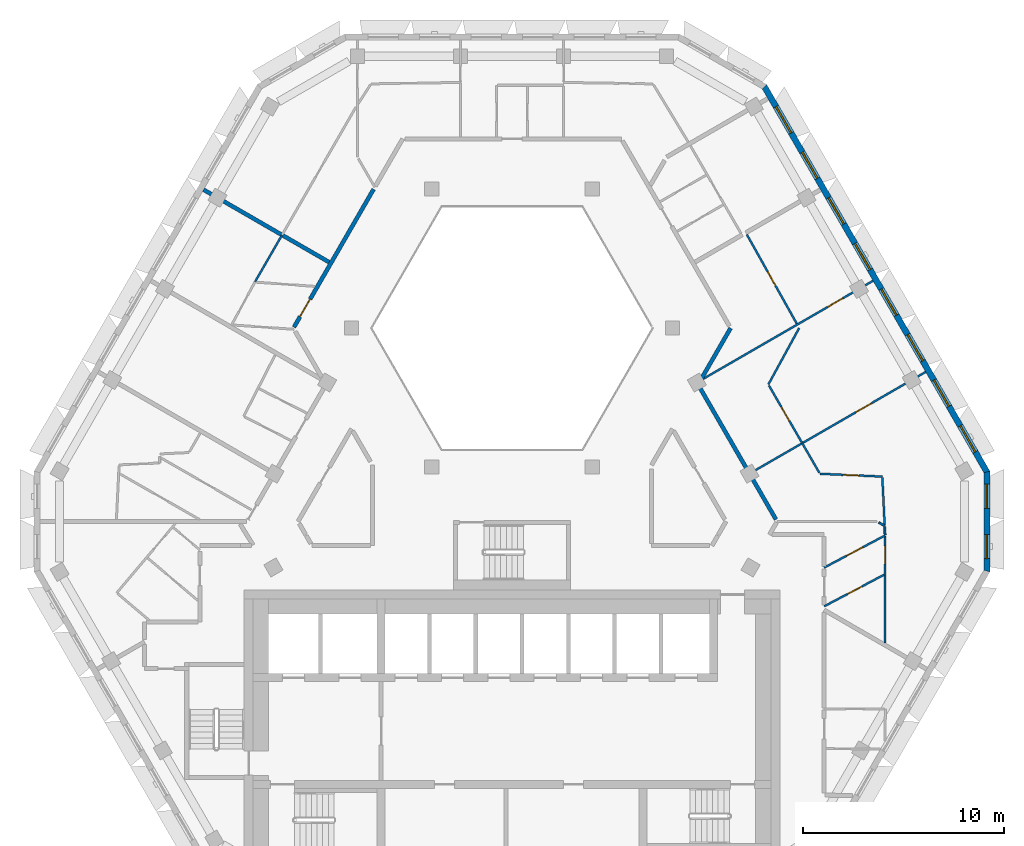
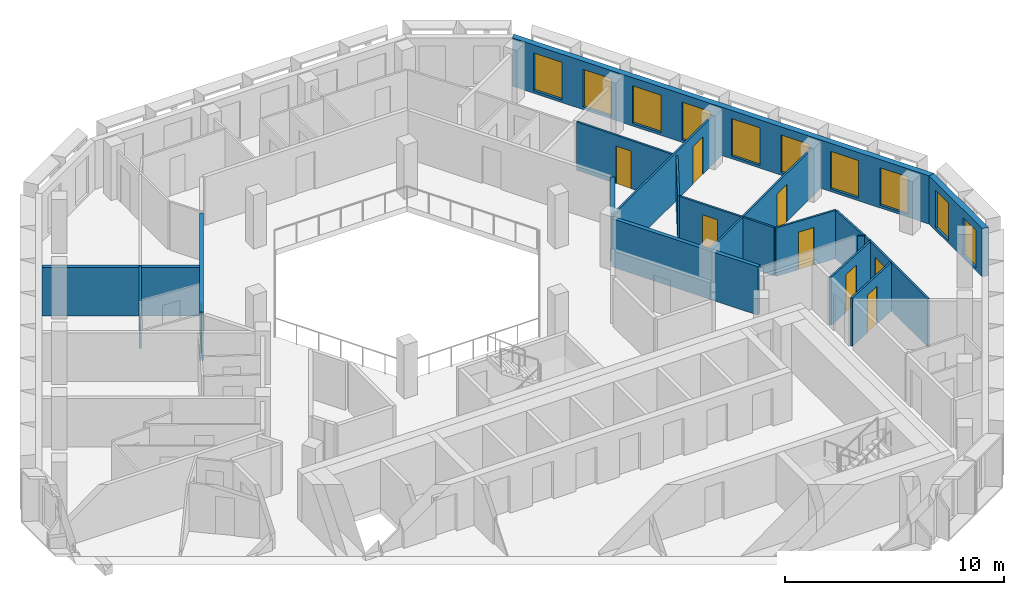
# One storey, part 7 of 16: 20 walls, 10 windows, 9 doors, 19 openings.
"""IFC4 building model written with IfcOpenShell, lengths in metres."""

from ifc_helpers import new_model, si_unit, direction, frame, frame_2d, origin, place, context, subcontext, project, spatial, polyline, rectangle, outline, extrude, material, layer, layer_set, type_object, element, fill, save


model = new_model("IFC4")

# Units and contexts
model_context = context("Model", 3, precision=1e-05, world=origin(), true_north=direction((0.0, 1.0)))
body_context = subcontext(model_context, "Body", "Model", "MODEL_VIEW")
ifc_project = project(units=[si_unit("LENGTHUNIT", "METRE"), si_unit("AREAUNIT", "SQUARE_METRE"), si_unit("VOLUMEUNIT", "CUBIC_METRE"), si_unit("PLANEANGLEUNIT", "RADIAN"), si_unit("MASSUNIT", "GRAM", prefix="KILO")], contexts=[model_context])

# Site, building, storey
site_placement = place(None, origin())
site = spatial("IfcSite", under=ifc_project, at=site_placement, CompositionType="ELEMENT")
building_placement = place(site_placement, origin())
building = spatial("IfcBuilding", under=site, at=building_placement, Name="Beryl Residences", CompositionType="ELEMENT")
storey_placement = place(building_placement, frame((0.0, 0.0, 214.800048828125)))
storey = spatial("IfcBuildingStorey", under=building, at=storey_placement, Name="L66", CompositionType="ELEMENT", Elevation=214.800048828125)

# Wall, openings, windows
ifc_material_1 = material(Name="Composite metal panel with mineral wool insulation")
ifc_layer_1 = layer(ifc_material_1, 0.300048828125)
ifc_layer_set_1 = layer_set([ifc_layer_1], Name="ES1 pale metal composite panel wall 300 mm")
wall_type_1 = type_object("IfcWallType", Name="ES1 pale metal composite panel wall 300 mm", PredefinedType="SOLIDWALL", material=ifc_layer_set_1)
wall_1_placement = place(storey_placement, frame((23.5791015625, -4.10009765625, 0.0), z_axis=(0.0, 0.0, 1.0), x_axis=(0.0, 1.0, 0.0)))
wall_1 = element("IfcWall", 1, at=wall_1_placement, inside=storey, type_object=wall_type_1, Name="ES1 external wall L66 SE-NE", PredefinedType="SOLIDWALL", context=body_context, shape_type="SweptSolid", body=[
    extrude(outline(polyline([(0.0, -0.14990234375), (5.0, -0.14990234375), (4.919677734375, 0.14990234375), (0.080322265625, 0.14990234375), (0.0, -0.14990234375)])), origin(), (0.0, 0.0, 1.0), 2.699951171875),
])
opening_1_placement = place(wall_1_placement, frame((0.64990234375, 0.0, 0.14990234375)))
opening_1 = element("IfcOpeningElement", 2, at=opening_1_placement, cuts=wall_1, Name="Opening W2", PredefinedType="OPENING", context=body_context, shape_type="SweptSolid", body=[
    extrude(rectangle(XDim=1.199951171875, YDim=2.10009765625, at=frame_2d((0.60009765625, 1.050048828125))), frame((0.0, 0.159912109375, 0.0), z_axis=(0.0, -1.0, 0.0), x_axis=(1.0, 0.0, 0.0)), (0.0, 0.0, 1.0), 0.320068359375),
])
opening_2_placement = place(wall_1_placement, frame((3.14990234375, 0.0, 0.14990234375)))
opening_2 = element("IfcOpeningElement", 3, at=opening_2_placement, cuts=wall_1, Name="Opening W2", PredefinedType="OPENING", context=body_context, shape_type="SweptSolid", body=[
    extrude(rectangle(XDim=1.199951171875, YDim=2.10009765625, at=frame_2d((0.60009765625, 1.050048828125))), frame((0.0, 0.159912109375, 0.0), z_axis=(0.0, -1.0, 0.0), x_axis=(1.0, 0.0, 0.0)), (0.0, 0.0, 1.0), 0.320068359375),
])
ifc_material_2 = material(Name="Aluminium and clear glass", Category="aluminium")
window_type_1 = type_object("IfcWindowType", Name="W2 chamfer window 1200 x 2100 mm", PartitioningType="SINGLE_PANEL", PredefinedType="WINDOW", material=ifc_material_2)
window_1_placement = place(opening_1_placement, origin())
window_1 = element("IfcWindow", 4, at=window_1_placement, inside=storey, type_object=window_type_1, Name="W2 window L66 SE-NE 1", OverallHeight=2.10009765625, OverallWidth=1.199951171875, PartitioningType="SINGLE_PANEL", PredefinedType="WINDOW", context=body_context, shape_type="SweptSolid", body=[
    extrude(rectangle(XDim=1.199951171875, YDim=2.10009765625, at=frame_2d((0.60009765625, 1.050048828125))), frame((0.0, 0.030029296875, 0.0), z_axis=(0.0, -1.0, 0.0), x_axis=(1.0, 0.0, 0.0)), (0.0, 0.0, 1.0), 0.06005859375),
])
fill(opening_1, window_1)
window_2_placement = place(opening_2_placement, origin())
window_2 = element("IfcWindow", 5, at=window_2_placement, inside=storey, type_object=window_type_1, Name="W2 window L66 SE-NE 2", OverallHeight=2.10009765625, OverallWidth=1.199951171875, PartitioningType="SINGLE_PANEL", PredefinedType="WINDOW", context=body_context, shape_type="SweptSolid", body=[
    extrude(rectangle(XDim=1.199951171875, YDim=2.10009765625, at=frame_2d((0.60009765625, 1.050048828125))), frame((0.0, 0.030029296875, 0.0), z_axis=(0.0, -1.0, 0.0), x_axis=(1.0, 0.0, 0.0)), (0.0, 0.0, 1.0), 0.06005859375),
])
fill(opening_2, window_2)

wall_2_placement = place(storey_placement, frame((23.59912109375, 0.824951171875, 0.0), z_axis=(0.0, 0.0, 1.0), x_axis=(-0.500003656944, 0.866023292436, 0.0)))
wall_2 = element("IfcWall", 6, at=wall_2_placement, inside=storey, type_object=wall_type_1, Name="ES1 external wall L66 NE", PredefinedType="SOLIDWALL", context=body_context, shape_type="SweptSolid", body=[
    extrude(outline(polyline([(0.0, -0.14990234375), (22.170166015625, -0.14990234375), (22.08984375, 0.14990234375), (0.080322265625, 0.14990234375), (0.0, -0.14990234375)])), origin(), (0.0, 0.0, 1.0), 2.699951171875),
])
opening_3_placement = place(wall_2_placement, frame((1.19091796875, 0.0, 0.14990234375)))
opening_3 = element("IfcOpeningElement", 7, at=opening_3_placement, cuts=wall_2, Name="Opening W1", PredefinedType="OPENING", context=body_context, shape_type="SweptSolid", body=[
    extrude(rectangle(XDim=1.5, YDim=2.10009765625, at=frame_2d((0.75, 1.050048828125))), frame((0.0, 0.159912109375, 0.0), z_axis=(0.0, -1.0, 0.0), x_axis=(1.0, 0.0, 0.0)), (0.0, 0.0, 1.0), 0.320068359375),
])
opening_4_placement = place(wall_2_placement, frame((3.803955078125, 0.0, 0.14990234375)))
opening_4 = element("IfcOpeningElement", 8, at=opening_4_placement, cuts=wall_2, Name="Opening W1", PredefinedType="OPENING", context=body_context, shape_type="SweptSolid", body=[
    extrude(rectangle(XDim=1.5, YDim=2.10009765625, at=frame_2d((0.75, 1.050048828125))), frame((0.0, 0.159912109375, 0.0), z_axis=(0.0, -1.0, 0.0), x_axis=(1.0, 0.0, 0.0)), (0.0, 0.0, 1.0), 0.320068359375),
])
opening_5_placement = place(wall_2_placement, frame((6.4169921875, 0.0, 0.14990234375)))
opening_5 = element("IfcOpeningElement", 9, at=opening_5_placement, cuts=wall_2, Name="Opening W1", PredefinedType="OPENING", context=body_context, shape_type="SweptSolid", body=[
    extrude(rectangle(XDim=1.5, YDim=2.10009765625, at=frame_2d((0.75, 1.050048828125))), frame((0.0, 0.159912109375, 0.0), z_axis=(0.0, -1.0, 0.0), x_axis=(1.0, 0.0, 0.0)), (0.0, 0.0, 1.0), 0.320068359375),
])
opening_6_placement = place(wall_2_placement, frame((9.029052734375, 0.0, 0.14990234375)))
opening_6 = element("IfcOpeningElement", 10, at=opening_6_placement, cuts=wall_2, Name="Opening W1", PredefinedType="OPENING", context=body_context, shape_type="SweptSolid", body=[
    extrude(rectangle(XDim=1.5, YDim=2.10009765625, at=frame_2d((0.75, 1.050048828125))), frame((0.0, 0.159912109375, 0.0), z_axis=(0.0, -1.0, 0.0), x_axis=(1.0, 0.0, 0.0)), (0.0, 0.0, 1.0), 0.320068359375),
])
opening_7_placement = place(wall_2_placement, frame((11.64111328125, 0.0, 0.14990234375)))
opening_7 = element("IfcOpeningElement", 11, at=opening_7_placement, cuts=wall_2, Name="Opening W1", PredefinedType="OPENING", context=body_context, shape_type="SweptSolid", body=[
    extrude(rectangle(XDim=1.5, YDim=2.10009765625, at=frame_2d((0.75, 1.050048828125))), frame((0.0, 0.159912109375, 0.0), z_axis=(0.0, -1.0, 0.0), x_axis=(1.0, 0.0, 0.0)), (0.0, 0.0, 1.0), 0.320068359375),
])
opening_8_placement = place(wall_2_placement, frame((14.25390625, 0.0, 0.14990234375)))
opening_8 = element("IfcOpeningElement", 12, at=opening_8_placement, cuts=wall_2, Name="Opening W1", PredefinedType="OPENING", context=body_context, shape_type="SweptSolid", body=[
    extrude(rectangle(XDim=1.5, YDim=2.10009765625, at=frame_2d((0.75, 1.050048828125))), frame((0.0, 0.159912109375, 0.0), z_axis=(0.0, -1.0, 0.0), x_axis=(1.0, 0.0, 0.0)), (0.0, 0.0, 1.0), 0.320068359375),
])
opening_9_placement = place(wall_2_placement, frame((16.865966796875, 0.0, 0.14990234375)))
opening_9 = element("IfcOpeningElement", 13, at=opening_9_placement, cuts=wall_2, Name="Opening W1", PredefinedType="OPENING", context=body_context, shape_type="SweptSolid", body=[
    extrude(rectangle(XDim=1.5, YDim=2.10009765625, at=frame_2d((0.75, 1.050048828125))), frame((0.0, 0.159912109375, 0.0), z_axis=(0.0, -1.0, 0.0), x_axis=(1.0, 0.0, 0.0)), (0.0, 0.0, 1.0), 0.320068359375),
])
opening_10_placement = place(wall_2_placement, frame((19.47900390625, 0.0, 0.14990234375)))
opening_10 = element("IfcOpeningElement", 14, at=opening_10_placement, cuts=wall_2, Name="Opening W1", PredefinedType="OPENING", context=body_context, shape_type="SweptSolid", body=[
    extrude(rectangle(XDim=1.5, YDim=2.10009765625, at=frame_2d((0.75, 1.050048828125))), frame((0.0, 0.159912109375, 0.0), z_axis=(0.0, -1.0, 0.0), x_axis=(1.0, 0.0, 0.0)), (0.0, 0.0, 1.0), 0.320068359375),
])
ifc_material_3 = material(Name="Aluminium and clear glass", Category="aluminium")
window_type_2 = type_object("IfcWindowType", Name="W1 cell window 1500 x 2100 mm", PartitioningType="SINGLE_PANEL", PredefinedType="WINDOW", material=ifc_material_3)
window_3_placement = place(opening_3_placement, origin())
window_3 = element("IfcWindow", 15, at=window_3_placement, inside=storey, type_object=window_type_2, Name="W1 window L66 NE 1", OverallHeight=2.10009765625, OverallWidth=1.5, PartitioningType="SINGLE_PANEL", PredefinedType="WINDOW", context=body_context, shape_type="SweptSolid", body=[
    extrude(rectangle(XDim=1.5, YDim=2.10009765625, at=frame_2d((0.75, 1.050048828125))), frame((0.0, 0.030029296875, 0.0), z_axis=(0.0, -1.0, 0.0), x_axis=(1.0, 0.0, 0.0)), (0.0, 0.0, 1.0), 0.06005859375),
])
fill(opening_3, window_3)
window_4_placement = place(opening_4_placement, origin())
window_4 = element("IfcWindow", 16, at=window_4_placement, inside=storey, type_object=window_type_2, Name="W1 window L66 NE 2", OverallHeight=2.10009765625, OverallWidth=1.5, PartitioningType="SINGLE_PANEL", PredefinedType="WINDOW", context=body_context, shape_type="SweptSolid", body=[
    extrude(rectangle(XDim=1.5, YDim=2.10009765625, at=frame_2d((0.75, 1.050048828125))), frame((0.0, 0.030029296875, 0.0), z_axis=(0.0, -1.0, 0.0), x_axis=(1.0, 0.0, 0.0)), (0.0, 0.0, 1.0), 0.06005859375),
])
fill(opening_4, window_4)
window_5_placement = place(opening_5_placement, origin())
window_5 = element("IfcWindow", 17, at=window_5_placement, inside=storey, type_object=window_type_2, Name="W1 window L66 NE 3", OverallHeight=2.10009765625, OverallWidth=1.5, PartitioningType="SINGLE_PANEL", PredefinedType="WINDOW", context=body_context, shape_type="SweptSolid", body=[
    extrude(rectangle(XDim=1.5, YDim=2.10009765625, at=frame_2d((0.75, 1.050048828125))), frame((0.0, 0.030029296875, 0.0), z_axis=(0.0, -1.0, 0.0), x_axis=(1.0, 0.0, 0.0)), (0.0, 0.0, 1.0), 0.06005859375),
])
fill(opening_5, window_5)
window_6_placement = place(opening_6_placement, origin())
window_6 = element("IfcWindow", 18, at=window_6_placement, inside=storey, type_object=window_type_2, Name="W1 window L66 NE 4", OverallHeight=2.10009765625, OverallWidth=1.5, PartitioningType="SINGLE_PANEL", PredefinedType="WINDOW", context=body_context, shape_type="SweptSolid", body=[
    extrude(rectangle(XDim=1.5, YDim=2.10009765625, at=frame_2d((0.75, 1.050048828125))), frame((0.0, 0.030029296875, 0.0), z_axis=(0.0, -1.0, 0.0), x_axis=(1.0, 0.0, 0.0)), (0.0, 0.0, 1.0), 0.06005859375),
])
fill(opening_6, window_6)
window_7_placement = place(opening_7_placement, origin())
window_7 = element("IfcWindow", 19, at=window_7_placement, inside=storey, type_object=window_type_2, Name="W1 window L66 NE 5", OverallHeight=2.10009765625, OverallWidth=1.5, PartitioningType="SINGLE_PANEL", PredefinedType="WINDOW", context=body_context, shape_type="SweptSolid", body=[
    extrude(rectangle(XDim=1.5, YDim=2.10009765625, at=frame_2d((0.75, 1.050048828125))), frame((0.0, 0.030029296875, 0.0), z_axis=(0.0, -1.0, 0.0), x_axis=(1.0, 0.0, 0.0)), (0.0, 0.0, 1.0), 0.06005859375),
])
fill(opening_7, window_7)
window_8_placement = place(opening_8_placement, origin())
window_8 = element("IfcWindow", 20, at=window_8_placement, inside=storey, type_object=window_type_2, Name="W1 window L66 NE 6", OverallHeight=2.10009765625, OverallWidth=1.5, PartitioningType="SINGLE_PANEL", PredefinedType="WINDOW", context=body_context, shape_type="SweptSolid", body=[
    extrude(rectangle(XDim=1.5, YDim=2.10009765625, at=frame_2d((0.75, 1.050048828125))), frame((0.0, 0.030029296875, 0.0), z_axis=(0.0, -1.0, 0.0), x_axis=(1.0, 0.0, 0.0)), (0.0, 0.0, 1.0), 0.06005859375),
])
fill(opening_8, window_8)
window_9_placement = place(opening_9_placement, origin())
window_9 = element("IfcWindow", 21, at=window_9_placement, inside=storey, type_object=window_type_2, Name="W1 window L66 NE 7", OverallHeight=2.10009765625, OverallWidth=1.5, PartitioningType="SINGLE_PANEL", PredefinedType="WINDOW", context=body_context, shape_type="SweptSolid", body=[
    extrude(rectangle(XDim=1.5, YDim=2.10009765625, at=frame_2d((0.75, 1.050048828125))), frame((0.0, 0.030029296875, 0.0), z_axis=(0.0, -1.0, 0.0), x_axis=(1.0, 0.0, 0.0)), (0.0, 0.0, 1.0), 0.06005859375),
])
fill(opening_9, window_9)
window_10_placement = place(opening_10_placement, origin())
window_10 = element("IfcWindow", 22, at=window_10_placement, inside=storey, type_object=window_type_2, Name="W1 window L66 NE 8", OverallHeight=2.10009765625, OverallWidth=1.5, PartitioningType="SINGLE_PANEL", PredefinedType="WINDOW", context=body_context, shape_type="SweptSolid", body=[
    extrude(rectangle(XDim=1.5, YDim=2.10009765625, at=frame_2d((0.75, 1.050048828125))), frame((0.0, 0.030029296875, 0.0), z_axis=(0.0, -1.0, 0.0), x_axis=(1.0, 0.0, 0.0)), (0.0, 0.0, 1.0), 0.06005859375),
])
fill(opening_10, window_10)

# Wall, opening, door
ifc_material_4 = material(Name="Gypsum board partition on steel studs", Category="steel")
ifc_layer_2 = layer(ifc_material_4, 0.10009765625)
ifc_layer_set_2 = layer_set([ifc_layer_2], Name="PT1 partition 100 mm gypsum board on steel studs")
wall_type_2 = type_object("IfcWallType", Name="PT1 partition 100 mm gypsum board on steel studs", PredefinedType="PARTITIONING", material=ifc_layer_set_2)
wall_3_placement = place(storey_placement, frame((12.759033203125, 5.14990234375, 0.0), z_axis=(0.0, 0.0, 1.0), x_axis=(0.499905801698, -0.866079782369, 0.0)))
wall_3 = element("IfcWall", 23, at=wall_3_placement, inside=storey, type_object=wall_type_2, Name="Wall PT1 L66 004", PredefinedType="PARTITIONING", context=body_context, shape_type="SweptSolid", body=[
    extrude(rectangle(XDim=3.304443359375, YDim=0.10009765625, at=frame_2d((1.65234375, 0.0))), origin(), (0.0, 0.0, 1.0), 2.699951171875),
])
opening_11_placement = place(wall_3_placement, frame((1.222900390625, 0.0, 0.0)))
opening_11 = element("IfcOpeningElement", 24, at=opening_11_placement, cuts=wall_3, Name="Opening D1836", PredefinedType="OPENING", context=body_context, shape_type="SweptSolid", body=[
    extrude(rectangle(XDim=0.800048828125, YDim=2.10009765625, at=frame_2d((0.39990234375, 1.050048828125))), frame((0.0, 0.06005859375, 0.0), z_axis=(0.0, -1.0, 0.0), x_axis=(1.0, 0.0, 0.0)), (0.0, 0.0, 1.0), 0.1201171875),
])
ifc_material_5 = material(Name="Timber door leaf", Category="wood")
door_type_1 = type_object("IfcDoorType", Name="D3 bathroom door 800 x 2100 mm", OperationType="SINGLE_SWING_LEFT", PredefinedType="DOOR", material=ifc_material_5)
door_1_placement = place(opening_11_placement, origin())
door_1 = element("IfcDoor", 25, at=door_1_placement, inside=storey, type_object=door_type_1, Name="Door D1836 L66 001", OperationType="SINGLE_SWING_RIGHT", OverallHeight=2.10009765625, OverallWidth=0.800048828125, PredefinedType="DOOR", context=body_context, shape_type="SweptSolid", body=[
    extrude(rectangle(XDim=0.800048828125, YDim=2.10009765625, at=frame_2d((0.39990234375, 1.050048828125))), frame((0.0, 0.02490234375, 0.0), z_axis=(0.0, -1.0, 0.0), x_axis=(1.0, 0.0, 0.0)), (0.0, 0.0, 1.0), 0.050048828125),
])
fill(opening_11, door_1)

wall_4_placement = place(storey_placement, frame((11.659912109375, 12.64990234375, 0.0), z_axis=(0.0, 0.0, 1.0), x_axis=(0.488650242737, -0.872479764965, 0.0)))
wall_4 = element("IfcWall", 26, at=wall_4_placement, inside=storey, type_object=wall_type_2, Name="Wall PT1 L66 007", PredefinedType="PARTITIONING", context=body_context, shape_type="SweptSolid", body=[
    extrude(rectangle(XDim=5.0751953125, YDim=0.10009765625, at=frame_2d((2.53759765625, 0.0))), origin(), (0.0, 0.0, 1.0), 2.699951171875),
])
opening_12_placement = place(wall_4_placement, frame((2.113037109375, 0.0, 0.0)))
opening_12 = element("IfcOpeningElement", 27, at=opening_12_placement, cuts=wall_4, Name="Opening D1837", PredefinedType="OPENING", context=body_context, shape_type="SweptSolid", body=[
    extrude(rectangle(XDim=0.800048828125, YDim=2.10009765625, at=frame_2d((0.39990234375, 1.050048828125))), frame((0.0, 0.06005859375, 0.0), z_axis=(0.0, -1.0, 0.0), x_axis=(1.0, 0.0, 0.0)), (0.0, 0.0, 1.0), 0.1201171875),
])
door_2_placement = place(opening_12_placement, origin())
door_2 = element("IfcDoor", 28, at=door_2_placement, inside=storey, type_object=door_type_1, Name="Door D1837 L66 001", OperationType="SINGLE_SWING_LEFT", OverallHeight=2.10009765625, OverallWidth=0.800048828125, PredefinedType="DOOR", context=body_context, shape_type="SweptSolid", body=[
    extrude(rectangle(XDim=0.800048828125, YDim=2.10009765625, at=frame_2d((0.39990234375, 1.050048828125))), frame((0.0, 0.02490234375, 0.0), z_axis=(0.0, -1.0, 0.0), x_axis=(1.0, 0.0, 0.0)), (0.0, 0.0, 1.0), 0.050048828125),
])
fill(opening_12, door_2)

# Walls
wall_5_placement = place(storey_placement, frame((18.387939453125, 0.5791015625, 0.0), z_axis=(0.0, 0.0, 1.0), x_axis=(0.049097293833, -0.998794000652, 0.0)))
element("IfcWall", 29, at=wall_5_placement, inside=storey, type_object=wall_type_2, Name="Wall PT1 L66 008", PredefinedType="PARTITIONING", context=body_context, shape_type="SweptSolid", body=[
    extrude(rectangle(XDim=2.362060546875, YDim=0.10009765625, at=frame_2d((1.18115234375, 0.0))), origin(), (0.0, 0.0, 1.0), 2.699951171875),
])
wall_6_placement = place(storey_placement, frame((18.507080078125, -1.85400390625, 0.0), z_axis=(0.0, 0.0, 1.0), x_axis=(0.036480787329, -0.999334354536, 0.0)))
element("IfcWall", 30, at=wall_6_placement, inside=storey, type_object=wall_type_2, Name="Wall PT1 L66 009", PredefinedType="PARTITIONING", context=body_context, shape_type="SweptSolid", body=[
    extrude(rectangle(XDim=0.408203125, YDim=0.10009765625, at=frame_2d((0.2041015625, 0.0))), origin(), (0.0, 0.0, 1.0), 2.699951171875),
])

# Wall, opening, door
wall_7_placement = place(storey_placement, frame((15.2880859375, 0.76806640625, 0.0), z_axis=(0.0, 0.0, 1.0), x_axis=(0.999006028269, -0.044575278833, 0.0)))
wall_7 = element("IfcWall", 31, at=wall_7_placement, inside=storey, type_object=wall_type_2, Name="Wall PT1 L66 014", PredefinedType="PARTITIONING", context=body_context, shape_type="SweptSolid", body=[
    extrude(rectangle(XDim=3.10009765625, YDim=0.10009765625, at=frame_2d((1.550048828125, 0.0))), origin(), (0.0, 0.0, 1.0), 2.699951171875),
])
opening_13_placement = place(wall_7_placement, frame((1.14990234375, 0.0, 0.0)))
opening_13 = element("IfcOpeningElement", 32, at=opening_13_placement, cuts=wall_7, Name="Opening D1834", PredefinedType="OPENING", context=body_context, shape_type="SweptSolid", body=[
    extrude(rectangle(XDim=0.800048828125, YDim=2.10009765625, at=frame_2d((0.39990234375, 1.050048828125))), frame((0.0, 0.06005859375, 0.0), z_axis=(0.0, -1.0, 0.0), x_axis=(1.0, 0.0, 0.0)), (0.0, 0.0, 1.0), 0.1201171875),
])
door_3_placement = place(opening_13_placement, origin())
door_3 = element("IfcDoor", 33, at=door_3_placement, inside=storey, type_object=door_type_1, Name="Door D1834 L66 001", OperationType="SINGLE_SWING_RIGHT", OverallHeight=2.10009765625, OverallWidth=0.800048828125, PredefinedType="DOOR", context=body_context, shape_type="SweptSolid", body=[
    extrude(rectangle(XDim=0.800048828125, YDim=2.10009765625, at=frame_2d((0.39990234375, 1.050048828125))), frame((0.0, 0.02490234375, 0.0), z_axis=(0.0, -1.0, 0.0), x_axis=(1.0, 0.0, 0.0)), (0.0, 0.0, 1.0), 0.050048828125),
])
fill(opening_13, door_3)

# Walls
wall_8_placement = place(storey_placement, frame((18.2119140625, -1.64892578125, 0.0), z_axis=(0.0, 0.0, 1.0), x_axis=(0.865622947871, -0.500696427109, 0.0)))
element("IfcWall", 34, at=wall_8_placement, inside=storey, type_object=wall_type_2, Name="Wall PT1 L66 019", PredefinedType="PARTITIONING", context=body_context, shape_type="SweptSolid", body=[
    extrude(rectangle(XDim=0.33984375, YDim=0.10009765625, at=frame_2d((0.169921875, 0.0))), origin(), (0.0, 0.0, 1.0), 2.699951171875),
])
wall_9_placement = place(storey_placement, frame((-12.778076171875, 10.26806640625, 0.0), z_axis=(0.0, 0.0, 1.0), x_axis=(0.500084799062, 0.865976439487, 0.0)))
element("IfcWall", 35, at=wall_9_placement, inside=storey, type_object=wall_type_2, Name="Wall PT1 L66 030", PredefinedType="PARTITIONING", context=body_context, shape_type="SweptSolid", body=[
    extrude(rectangle(XDim=2.7216796875, YDim=0.10009765625, at=frame_2d((1.36083984375, 0.0))), origin(), (0.0, 0.0, 1.0), 2.699951171875),
])
wall_10_placement = place(storey_placement, frame((12.72900390625, 5.200927734375, 0.0), z_axis=(0.0, 0.0, 1.0), x_axis=(0.478932598182, 0.877851676764, 0.0)))
element("IfcWall", 36, at=wall_10_placement, inside=storey, type_object=wall_type_2, Name="Wall PT1 L66 031", PredefinedType="PARTITIONING", context=body_context, shape_type="SweptSolid", body=[
    extrude(rectangle(XDim=3.1884765625, YDim=0.10009765625, at=frame_2d((1.59423828125, 0.0))), origin(), (0.0, 0.0, 1.0), 2.699951171875),
])

# Wall, opening, door
wall_11_placement = place(storey_placement, frame((18.52392578125, -7.625, 0.0), z_axis=(0.0, 0.0, 1.0), x_axis=(0.0, 1.0, 0.0)))
wall_11 = element("IfcWall", 37, at=wall_11_placement, inside=storey, type_object=wall_type_2, Name="Wall PT1 L66 038", PredefinedType="PARTITIONING", context=body_context, shape_type="SweptSolid", body=[
    extrude(rectangle(XDim=5.29296875, YDim=0.10009765625, at=frame_2d((2.646484375, 0.0))), origin(), (0.0, 0.0, 1.0), 2.699951171875),
])
opening_14_placement = place(wall_11_placement, frame((3.9169921875, 0.0, 0.0)))
opening_14 = element("IfcOpeningElement", 38, at=opening_14_placement, cuts=wall_11, Name="Opening D1832", PredefinedType="OPENING", context=body_context, shape_type="SweptSolid", body=[
    extrude(rectangle(XDim=0.89990234375, YDim=2.10009765625, at=frame_2d((0.449951171875, 1.050048828125))), frame((0.0, 0.06005859375, 0.0), z_axis=(0.0, -1.0, 0.0), x_axis=(1.0, 0.0, 0.0)), (0.0, 0.0, 1.0), 0.1201171875),
])
ifc_material_6 = material(Name="Timber door leaf", Category="wood")
door_type_2 = type_object("IfcDoorType", Name="D2 room door 900 x 2100 mm", OperationType="SINGLE_SWING_LEFT", PredefinedType="DOOR", material=ifc_material_6)
door_4_placement = place(opening_14_placement, origin())
door_4 = element("IfcDoor", 39, at=door_4_placement, inside=storey, type_object=door_type_2, Name="Door D1832 L66 001", OperationType="SINGLE_SWING_RIGHT", OverallHeight=2.10009765625, OverallWidth=0.89990234375, PredefinedType="DOOR", context=body_context, shape_type="SweptSolid", body=[
    extrude(rectangle(XDim=0.89990234375, YDim=2.10009765625, at=frame_2d((0.449951171875, 1.050048828125))), frame((0.0, 0.02490234375, 0.0), z_axis=(0.0, -1.0, 0.0), x_axis=(1.0, 0.0, 0.0)), (0.0, 0.0, 1.0), 0.050048828125),
])
fill(opening_14, door_4)

wall_12_placement = place(storey_placement, frame((15.5, -3.889892578125, 0.0), z_axis=(0.0, 0.0, 1.0), x_axis=(0.884504274727, 0.466532086775, 0.0)))
wall_12 = element("IfcWall", 40, at=wall_12_placement, inside=storey, type_object=wall_type_2, Name="Wall PT1 L66 043", PredefinedType="PARTITIONING", context=body_context, shape_type="SweptSolid", body=[
    extrude(rectangle(XDim=3.418701171875, YDim=0.10009765625, at=frame_2d((1.70947265625, 0.0))), origin(), (0.0, 0.0, 1.0), 2.699951171875),
])
opening_15_placement = place(wall_12_placement, frame((1.259033203125, 0.0, 0.0)))
opening_15 = element("IfcOpeningElement", 41, at=opening_15_placement, cuts=wall_12, Name="Opening D1831", PredefinedType="OPENING", context=body_context, shape_type="SweptSolid", body=[
    extrude(rectangle(XDim=0.89990234375, YDim=2.10009765625, at=frame_2d((0.449951171875, 1.050048828125))), frame((0.0, 0.06005859375, 0.0), z_axis=(0.0, -1.0, 0.0), x_axis=(1.0, 0.0, 0.0)), (0.0, 0.0, 1.0), 0.1201171875),
])
door_5_placement = place(opening_15_placement, origin())
door_5 = element("IfcDoor", 42, at=door_5_placement, inside=storey, type_object=door_type_2, Name="Door D1831 L66 001", OperationType="SINGLE_SWING_LEFT", OverallHeight=2.10009765625, OverallWidth=0.89990234375, PredefinedType="DOOR", context=body_context, shape_type="SweptSolid", body=[
    extrude(rectangle(XDim=0.89990234375, YDim=2.10009765625, at=frame_2d((0.449951171875, 1.050048828125))), frame((0.0, 0.02490234375, 0.0), z_axis=(0.0, -1.0, 0.0), x_axis=(1.0, 0.0, 0.0)), (0.0, 0.0, 1.0), 0.050048828125),
])
fill(opening_15, door_5)

wall_13_placement = place(storey_placement, frame((15.5, -5.81201171875, 0.0), z_axis=(0.0, 0.0, 1.0), x_axis=(0.884576181409, 0.46639573249, 0.0)))
wall_13 = element("IfcWall", 43, at=wall_13_placement, inside=storey, type_object=wall_type_2, Name="Wall PT1 L66 044", PredefinedType="PARTITIONING", context=body_context, shape_type="SweptSolid", body=[
    extrude(rectangle(XDim=3.3623046875, YDim=0.10009765625, at=frame_2d((1.68115234375, 0.0))), origin(), (0.0, 0.0, 1.0), 2.699951171875),
])
opening_16_placement = place(wall_13_placement, frame((1.30908203125, 0.0, 0.0)))
opening_16 = element("IfcOpeningElement", 44, at=opening_16_placement, cuts=wall_13, Name="Opening D1830", PredefinedType="OPENING", context=body_context, shape_type="SweptSolid", body=[
    extrude(rectangle(XDim=0.800048828125, YDim=2.10009765625, at=frame_2d((0.39990234375, 1.050048828125))), frame((0.0, 0.06005859375, 0.0), z_axis=(0.0, -1.0, 0.0), x_axis=(1.0, 0.0, 0.0)), (0.0, 0.0, 1.0), 0.1201171875),
])
door_6_placement = place(opening_16_placement, origin())
door_6 = element("IfcDoor", 45, at=door_6_placement, inside=storey, type_object=door_type_1, Name="Door D1830 L66 001", OperationType="SINGLE_SWING_RIGHT", OverallHeight=2.10009765625, OverallWidth=0.800048828125, PredefinedType="DOOR", context=body_context, shape_type="SweptSolid", body=[
    extrude(rectangle(XDim=0.800048828125, YDim=2.10009765625, at=frame_2d((0.39990234375, 1.050048828125))), frame((0.0, 0.02490234375, 0.0), z_axis=(0.0, -1.0, 0.0), x_axis=(1.0, 0.0, 0.0)), (0.0, 0.0, 1.0), 0.050048828125),
])
fill(opening_16, door_6)

wall_14_placement = place(storey_placement, frame((11.87890625, 0.825927734375, 0.0), z_axis=(0.0, 0.0, 1.0), x_axis=(0.866065245018, 0.499930986609, 0.0)))
wall_14 = element("IfcWall", 46, at=wall_14_placement, inside=storey, type_object=wall_type_2, Name="Wall PT1 L66 047", PredefinedType="PARTITIONING", context=body_context, shape_type="SweptSolid", body=[
    extrude(rectangle(XDim=9.99951171875, YDim=0.10009765625, at=frame_2d((4.999755859375, 0.0))), origin(), (0.0, 0.0, 1.0), 2.699951171875),
])
opening_17_placement = place(wall_14_placement, frame((6.011962890625, 0.0, 0.0)))
opening_17 = element("IfcOpeningElement", 47, at=opening_17_placement, cuts=wall_14, Name="Opening D1833", PredefinedType="OPENING", context=body_context, shape_type="SweptSolid", body=[
    extrude(rectangle(XDim=0.89990234375, YDim=2.10009765625, at=frame_2d((0.449951171875, 1.050048828125))), frame((0.0, 0.06005859375, 0.0), z_axis=(0.0, -1.0, 0.0), x_axis=(1.0, 0.0, 0.0)), (0.0, 0.0, 1.0), 0.1201171875),
])
door_7_placement = place(opening_17_placement, origin())
door_7 = element("IfcDoor", 48, at=door_7_placement, inside=storey, type_object=door_type_2, Name="Door D1833 L66 001", OperationType="SINGLE_SWING_LEFT", OverallHeight=2.10009765625, OverallWidth=0.89990234375, PredefinedType="DOOR", context=body_context, shape_type="SweptSolid", body=[
    extrude(rectangle(XDim=0.89990234375, YDim=2.10009765625, at=frame_2d((0.449951171875, 1.050048828125))), frame((0.0, 0.02490234375, 0.0), z_axis=(0.0, -1.0, 0.0), x_axis=(1.0, 0.0, 0.0)), (0.0, 0.0, 1.0), 0.050048828125),
])
fill(opening_17, door_7)

wall_15_placement = place(storey_placement, frame((9.35400390625, 5.40087890625, 0.0), z_axis=(0.0, 0.0, 1.0), x_axis=(0.866018411306, 0.500012111133, 0.0)))
wall_15 = element("IfcWall", 49, at=wall_15_placement, inside=storey, type_object=wall_type_2, Name="Wall PT1 L66 048", PredefinedType="PARTITIONING", context=body_context, shape_type="SweptSolid", body=[
    extrude(rectangle(XDim=9.898193359375, YDim=0.10009765625, at=frame_2d((4.94921875, 0.0))), origin(), (0.0, 0.0, 1.0), 2.699951171875),
])
opening_18_placement = place(wall_15_placement, frame((7.277099609375, 0.0, 0.0)))
opening_18 = element("IfcOpeningElement", 50, at=opening_18_placement, cuts=wall_15, Name="Opening D1835", PredefinedType="OPENING", context=body_context, shape_type="SweptSolid", body=[
    extrude(rectangle(XDim=0.89990234375, YDim=2.10009765625, at=frame_2d((0.449951171875, 1.050048828125))), frame((0.0, 0.06005859375, 0.0), z_axis=(0.0, -1.0, 0.0), x_axis=(1.0, 0.0, 0.0)), (0.0, 0.0, 1.0), 0.1201171875),
])
door_8_placement = place(opening_18_placement, origin())
door_8 = element("IfcDoor", 51, at=door_8_placement, inside=storey, type_object=door_type_2, Name="Door D1835 L66 001", OperationType="SINGLE_SWING_LEFT", OverallHeight=2.10009765625, OverallWidth=0.89990234375, PredefinedType="DOOR", context=body_context, shape_type="SweptSolid", body=[
    extrude(rectangle(XDim=0.89990234375, YDim=2.10009765625, at=frame_2d((0.449951171875, 1.050048828125))), frame((0.0, 0.02490234375, 0.0), z_axis=(0.0, -1.0, 0.0), x_axis=(1.0, 0.0, 0.0)), (0.0, 0.0, 1.0), 0.050048828125),
])
fill(opening_18, door_8)

# Walls
wall_16_placement = place(storey_placement, frame((14.410888671875, 2.2880859375, 0.0), z_axis=(0.0, 0.0, 1.0), x_axis=(0.500009005995, -0.866020204108, 0.0)))
element("IfcWall", 52, at=wall_16_placement, inside=storey, type_object=wall_type_2, Name="Wall PT1 L66 051", PredefinedType="PARTITIONING", context=body_context, shape_type="SweptSolid", body=[
    extrude(rectangle(XDim=1.6962890625, YDim=0.10009765625, at=frame_2d((0.84814453125, 0.0))), origin(), (0.0, 0.0, 1.0), 2.699951171875),
])
ifc_material_7 = material(Name="Acoustic double stud gypsum board wall")
ifc_layer_3 = layer(ifc_material_7, 0.199951171875)
ifc_layer_set_3 = layer_set([ifc_layer_3], Name="PT3 party wall 200 mm acoustic double stud")
wall_type_3 = type_object("IfcWallType", Name="PT3 party wall 200 mm acoustic double stud", PredefinedType="PARTITIONING", material=ifc_layer_set_3)
wall_17_placement = place(storey_placement, frame((-15.31396484375, 14.875, 0.0), z_axis=(0.0, 0.0, 1.0), x_axis=(0.866001485781, -0.500041424909, 0.0)))
element("IfcWall", 53, at=wall_17_placement, inside=storey, type_object=wall_type_3, Name="Wall PT3 L66 004", PredefinedType="PARTITIONING", context=body_context, shape_type="SweptSolid", body=[
    extrude(rectangle(XDim=7.19970703125, YDim=0.199951171875, at=frame_2d((3.599853515625, 0.0))), origin(), (0.0, 0.0, 1.0), 2.699951171875),
])
ifc_material_8 = material(Name="Double stud gypsum board wall")
ifc_layer_4 = layer(ifc_material_8, 0.199951171875)
ifc_layer_set_4 = layer_set([ifc_layer_4], Name="PT4 corridor wall 200 mm double stud")
wall_type_4 = type_object("IfcWallType", Name="PT4 corridor wall 200 mm double stud", PredefinedType="PARTITIONING", material=ifc_layer_set_4)
wall_18_placement = place(storey_placement, frame((9.238037109375, 5.199951171875, 0.0), z_axis=(0.0, 0.0, 1.0), x_axis=(0.500025705601, -0.86601056214, 0.0)))
element("IfcWall", 54, at=wall_18_placement, inside=storey, type_object=wall_type_4, Name="Wall PT4 L66 006", PredefinedType="PARTITIONING", context=body_context, shape_type="SweptSolid", body=[
    extrude(rectangle(XDim=7.7353515625, YDim=0.199951171875, at=frame_2d((3.86767578125, 0.0))), origin(), (0.0, 0.0, 1.0), 2.699951171875),
])
wall_19_placement = place(storey_placement, frame((9.404052734375, 5.487060546875, 0.0), z_axis=(0.0, 0.0, 1.0), x_axis=(0.499768590677, 0.866158966803, 0.0)))
element("IfcWall", 55, at=wall_19_placement, inside=storey, type_object=wall_type_4, Name="Wall PT4 L66 021", PredefinedType="PARTITIONING", context=body_context, shape_type="SweptSolid", body=[
    extrude(rectangle(XDim=2.901123046875, YDim=0.199951171875, at=frame_2d((1.45068359375, 0.0))), origin(), (0.0, 0.0, 1.0), 2.699951171875),
])

# Wall, opening, door
wall_20_placement = place(storey_placement, frame((-10.825927734375, 8.048095703125, 0.0), z_axis=(0.0, 0.0, 1.0), x_axis=(0.499953104851, 0.866052477019, 0.0)))
wall_20 = element("IfcWall", 56, at=wall_20_placement, inside=storey, type_object=wall_type_4, Name="Wall PT4 L66 027", PredefinedType="PARTITIONING", context=body_context, shape_type="SweptSolid", body=[
    extrude(rectangle(XDim=7.910400390625, YDim=0.199951171875, at=frame_2d((3.955078125, 0.0))), origin(), (0.0, 0.0, 1.0), 2.699951171875),
])
opening_19_placement = place(wall_20_placement, frame((0.60302734375, 0.0, 0.0)))
opening_19 = element("IfcOpeningElement", 57, at=opening_19_placement, cuts=wall_20, Name="Opening D1810", PredefinedType="OPENING", context=body_context, shape_type="SweptSolid", body=[
    extrude(rectangle(XDim=1.0, YDim=2.10009765625, at=frame_2d((0.5, 1.050048828125))), frame((0.0, 0.10986328125, 0.0), z_axis=(0.0, -1.0, 0.0), x_axis=(1.0, 0.0, 0.0)), (0.0, 0.0, 1.0), 0.219970703125),
])
ifc_material_9 = material(Name="Timber door leaf", Category="wood")
door_type_3 = type_object("IfcDoorType", Name="D1 flat entrance door 1000 x 2100 mm", OperationType="SINGLE_SWING_LEFT", PredefinedType="DOOR", material=ifc_material_9)
door_9_placement = place(opening_19_placement, origin())
door_9 = element("IfcDoor", 58, at=door_9_placement, inside=storey, type_object=door_type_3, Name="Door D1810 L66 001", OperationType="SINGLE_SWING_RIGHT", OverallHeight=2.10009765625, OverallWidth=1.0, PredefinedType="DOOR", context=body_context, shape_type="SweptSolid", body=[
    extrude(rectangle(XDim=1.0, YDim=2.10009765625, at=frame_2d((0.5, 1.050048828125))), frame((0.0, 0.02490234375, 0.0), z_axis=(0.0, -1.0, 0.0), x_axis=(1.0, 0.0, 0.0)), (0.0, 0.0, 1.0), 0.050048828125),
])
fill(opening_19, door_9)

save(model, "model.ifc")
